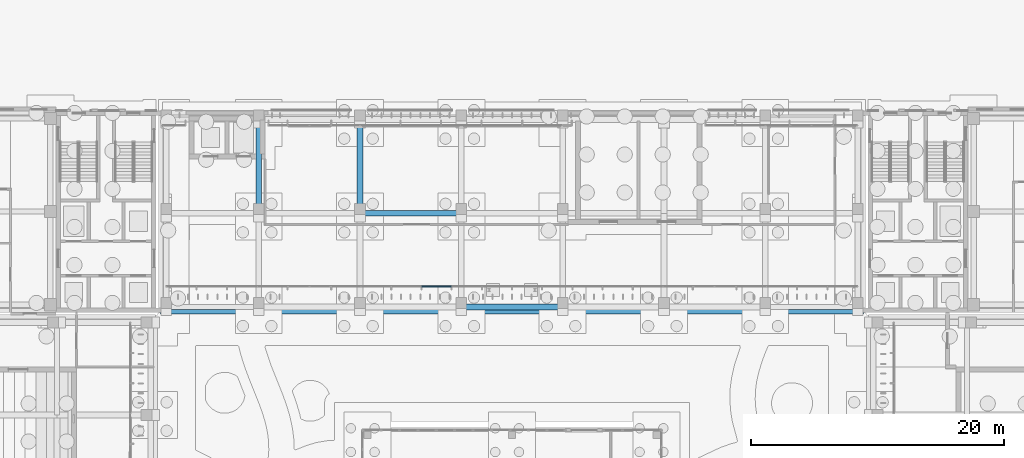
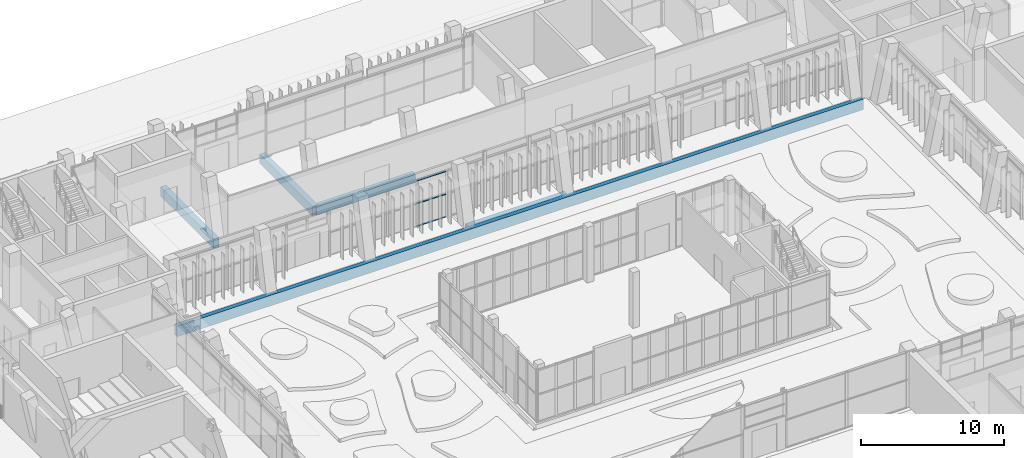
# One storey, part 63 of 144: 5 beams, 3 members, 1 element without a shape of its own.
"""IFC4 building model written with IfcOpenShell, lengths in metres."""

from ifc_helpers import new_model, si_unit, direction, frame, origin, origin_2d, place, context, subcontext, project, spatial, rectangle, extrude, material, material_profile, profile_set, type_object, element, aggregate, save


model = new_model("IFC4")

# Units and contexts
model_context = context("Model", 3, precision=1e-05, world=origin(), true_north=direction((0.0, 1.0)))
body_context = subcontext(model_context, "Body", "Model", "MODEL_VIEW")
ifc_project = project(units=[si_unit("LENGTHUNIT", "METRE"), si_unit("AREAUNIT", "SQUARE_METRE"), si_unit("VOLUMEUNIT", "CUBIC_METRE"), si_unit("PLANEANGLEUNIT", "RADIAN"), si_unit("MASSUNIT", "GRAM", prefix="KILO")], contexts=[model_context])

# Site, building, storey
site_placement = place(None, origin())
site = spatial("IfcSite", under=ifc_project, at=site_placement, CompositionType="ELEMENT")
building_placement = place(site_placement, origin())
building = spatial("IfcBuilding", under=site, at=building_placement, Name="Lantern Court Media Centre", CompositionType="ELEMENT")
storey_placement = place(building_placement, origin())
storey = spatial("IfcBuildingStorey", under=building, at=storey_placement, Name="L00", CompositionType="ELEMENT", Elevation=0.0)

# Curtain wall, members
ifc_material_1 = material(Name="Curtain wall bay 2400")
curtain_wall_type = type_object("IfcCurtainWallType", Name="Curtain wall bay 2400", PredefinedType="NOTDEFINED", material=ifc_material_1)
curtain_wall_placement = place(storey_placement, origin())
curtain_wall = element("IfcCurtainWall", 1, at=curtain_wall_placement, inside=storey, type_object=curtain_wall_type, Name="Curtain wall N inner L00", PredefinedType="NOTDEFINED")
ifc_material_2 = material(Name="Anodised aluminium", Category="aluminium")
ifc_material_profile_1 = material_profile(ifc_material_2, rectangle(XDim=0.10009765625, YDim=0.050048828125, at=origin_2d()), Name="AL 50x100")
ifc_profile_set_1 = profile_set([ifc_material_profile_1], Name="Anodised aluminium")
member_type = type_object("IfcMemberType", Name="Curtain wall transom 100x50", PredefinedType="USERDEFINED", material=ifc_profile_set_1)
member_1_placement = place(storey_placement, frame((44.875, 98.14990234375, 0.02490234375), z_axis=(1.0, 0.0, 0.0), x_axis=(0.0, 1.0, 0.0)))
member_1 = element("IfcMember", 2, at=member_1_placement, type_object=member_type, Name="CW2 transom 4.1", ObjectType="TRANSOM", PredefinedType="USERDEFINED", context=body_context, shape_type="SweptSolid", body=[
    extrude(rectangle(XDim=0.10009765625, YDim=0.050048828125, at=origin_2d()), origin(), (0.0, 0.0, 1.0), 2.333251953125),
])
member_2_placement = place(storey_placement, frame((44.875, 98.14990234375, 1.97509765625), z_axis=(1.0, 0.0, 0.0), x_axis=(0.0, 1.0, 0.0)))
member_2 = element("IfcMember", 3, at=member_2_placement, type_object=member_type, Name="CW2 transom 4.2", ObjectType="TRANSOM", PredefinedType="USERDEFINED", context=body_context, shape_type="SweptSolid", body=[
    extrude(rectangle(XDim=0.10009765625, YDim=0.050048828125, at=origin_2d()), origin(), (0.0, 0.0, 1.0), 2.333251953125),
])
member_3_placement = place(storey_placement, frame((44.875, 98.14990234375, 3.925048828125), z_axis=(1.0, 0.0, 0.0), x_axis=(0.0, 1.0, 0.0)))
member_3 = element("IfcMember", 4, at=member_3_placement, type_object=member_type, Name="CW2 transom 4.3", ObjectType="TRANSOM", PredefinedType="USERDEFINED", context=body_context, shape_type="SweptSolid", body=[
    extrude(rectangle(XDim=0.10009765625, YDim=0.050048828125, at=origin_2d()), origin(), (0.0, 0.0, 1.0), 2.333251953125),
])
aggregate(curtain_wall, [member_1, member_2, member_3])

# Beams
ifc_material_3 = material(Name="Concrete C35", Category="concrete")
ifc_material_profile_2 = material_profile(ifc_material_3, rectangle(XDim=0.35009765625, YDim=0.89990234375, at=origin_2d()), Name="RC 350x900")
ifc_profile_set_2 = profile_set([ifc_material_profile_2], Name="Concrete C35")
beam_type_1 = type_object("IfcBeamType", Name="RC BEAM 350x900", PredefinedType="BEAM", material=ifc_profile_set_2)
beam_placement = place(storey_placement, frame((24.25, 96.14990234375, -0.449951171875), z_axis=(1.0, 0.0, 0.0), x_axis=(0.0, 1.0, 0.0)))
element("IfcBeam", 5, at=beam_placement, inside=storey, type_object=beam_type_1, Name="EB-N-L00-A", PredefinedType="BEAM", context=body_context, shape_type="SweptSolid", body=[
    extrude(rectangle(XDim=0.35009765625, YDim=0.89990234375, at=origin_2d()), origin(), (0.0, 0.0, 1.0), 55.5),
])
ifc_material_profile_3 = material_profile(ifc_material_3, rectangle(XDim=0.449951171875, YDim=0.699951171875, at=origin_2d()), Name="RC 450x700")
ifc_profile_set_3 = profile_set([ifc_material_profile_3], Name="Concrete C35")
beam_type_2 = type_object("IfcBeamType", Name="RC BEAM 450x700", PredefinedType="BEAM", material=ifc_profile_set_3)
for number, where, z_axis, x_axis, name in (
    (6, (48.0, 96.527099609375, -0.35009765625), (1.0, 0.0, 0.0), (0.0, 1.0, 0.0), "LB-N-L00-0-3"),
    (7, (40.0, 103.927001953125, -0.35009765625), (1.0, 0.0, 0.0), (0.0, 1.0, 0.0), "LB-N-L00-1-2"),
):
    element("IfcBeam", number, at=place(storey_placement, frame(where, z_axis=z_axis, x_axis=x_axis)), inside=storey, type_object=beam_type_2, Name=name, PredefinedType="BEAM", context=body_context, shape_type="SweptSolid", body=[
        extrude(rectangle(XDim=0.449951171875, YDim=0.699951171875, at=origin_2d()), origin(), (0.0, 0.0, 1.0), 8.0),
    ])
ifc_material_profile_4 = material_profile(ifc_material_3, rectangle(XDim=0.449951171875, YDim=0.800048828125, at=origin_2d()), Name="RC 450x800")
ifc_profile_set_4 = profile_set([ifc_material_profile_4], Name="Concrete C35")
beam_type_3 = type_object("IfcBeamType", Name="RC BEAM 450x800", PredefinedType="BEAM", material=ifc_profile_set_4)
for number, where, z_axis, x_axis, name in (
    (8, (32.0, 103.916748046875, -0.39990234375), (0.0, 1.0, 0.0), (-1.0, 0.0, 0.0), "TB-N-L00-1-2"),
    (9, (40.0, 103.916748046875, -0.39990234375), (0.0, 1.0, 0.0), (-1.0, 0.0, 0.0), "TB-N-L00-2-2"),
):
    element("IfcBeam", number, at=place(storey_placement, frame(where, z_axis=z_axis, x_axis=x_axis)), inside=storey, type_object=beam_type_3, Name=name, PredefinedType="BEAM", context=body_context, shape_type="SweptSolid", body=[
        extrude(rectangle(XDim=0.449951171875, YDim=0.800048828125, at=origin_2d()), origin(), (0.0, 0.0, 1.0), 7.39990234375),
    ])

save(model, "model.ifc")
